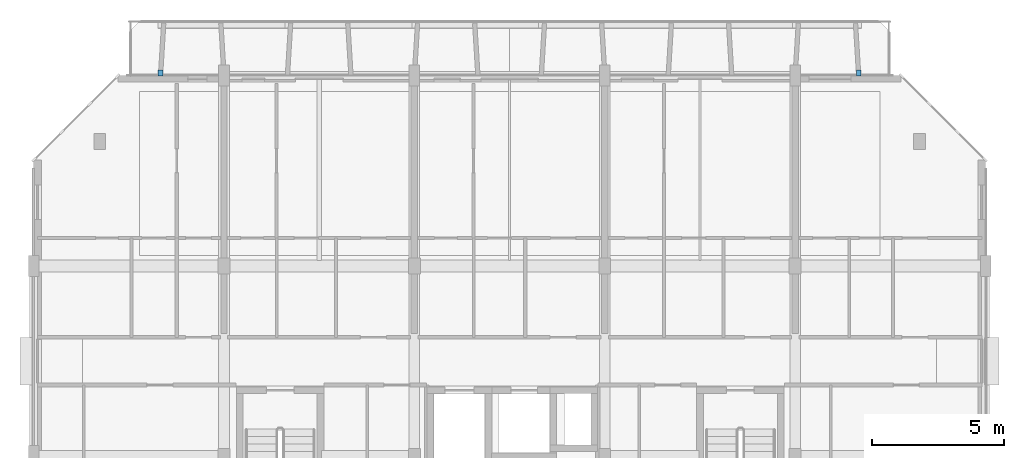
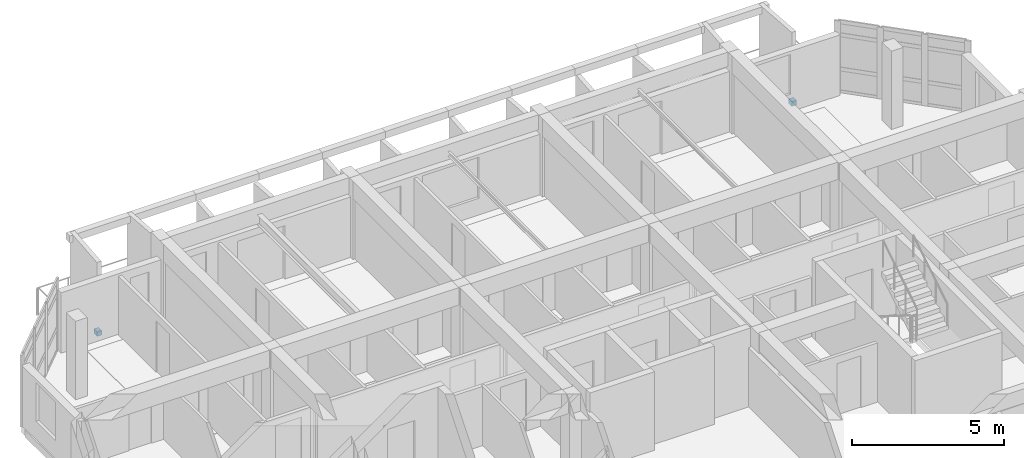
# One storey, part 31 of 44: 2 discrete accessories.
"""IFC4 building model written with IfcOpenShell, lengths in metres."""

from ifc_helpers import new_model, si_unit, direction, frame, origin, origin_2d, place, context, subcontext, project, spatial, rectangle, extrude, material, type_object, element, save


model = new_model("IFC4")

# Units and contexts
model_context = context("Model", 3, precision=1e-05, world=origin(), true_north=direction((0.0, 1.0)))
body_context = subcontext(model_context, "Body", "Model", "MODEL_VIEW")
ifc_project = project(units=[si_unit("LENGTHUNIT", "METRE"), si_unit("AREAUNIT", "SQUARE_METRE"), si_unit("VOLUMEUNIT", "CUBIC_METRE"), si_unit("PLANEANGLEUNIT", "RADIAN"), si_unit("MASSUNIT", "GRAM", prefix="KILO")], contexts=[model_context])

# Site, building, storey
site_placement = place(None, origin())
site = spatial("IfcSite", under=ifc_project, at=site_placement, CompositionType="ELEMENT")
building_placement = place(site_placement, origin())
building = spatial("IfcBuilding", under=site, at=building_placement, Name="Ochrevale Crest", CompositionType="ELEMENT")
storey_placement = place(building_placement, frame((0.0, 0.0, 21.300048828125)))
storey = spatial("IfcBuildingStorey", under=building, at=storey_placement, Name="L06", CompositionType="ELEMENT", Elevation=21.300048828125)

# Discrete accessories
ifc_material = material(Name="Galvanised steel", Category="steel")
discrete_accessory_type = type_object("IfcDiscreteAccessoryType", Name="ACC-BRK-HC", PredefinedType="BRACKET", material=ifc_material)
for number, where, z_axis, x_axis, name in (
    (1, (4.800048828125, 93.699951171875, 0.0), (0.0, 0.0, 1.0), (1.0, 0.0, 0.0), "Block B L06 precast loggia corbel bracket"),
    (2, (31.199951171875, 93.699951171875, 0.0), (0.0, 0.0, 1.0), (1.0, 0.0, 0.0), "Block B L06 precast loggia corbel bracket"),
):
    element("IfcDiscreteAccessory", number, at=place(storey_placement, frame(where, z_axis=z_axis, x_axis=x_axis)), inside=storey, type_object=discrete_accessory_type, Name=name, PredefinedType="BRACKET", context=body_context, shape_type="SweptSolid", body=[
        extrude(rectangle(XDim=0.179931640625, YDim=0.219970703125, at=origin_2d()), origin(), (0.0, 0.0, 1.0), 0.179931640625),
    ])

save(model, "model.ifc")
